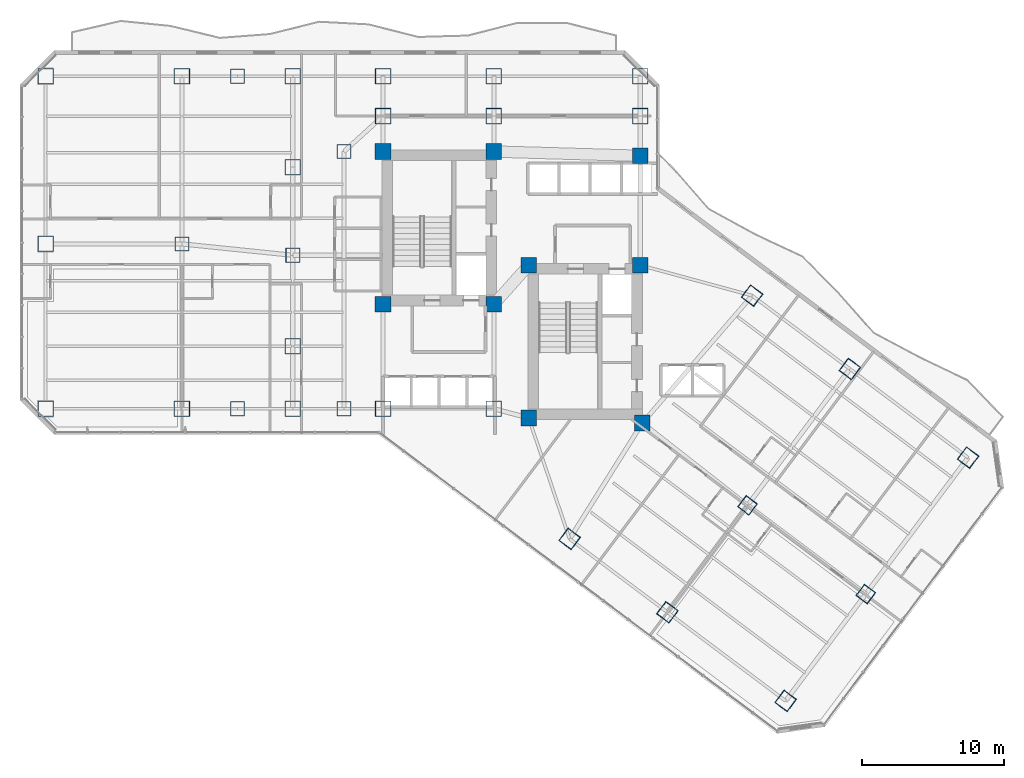
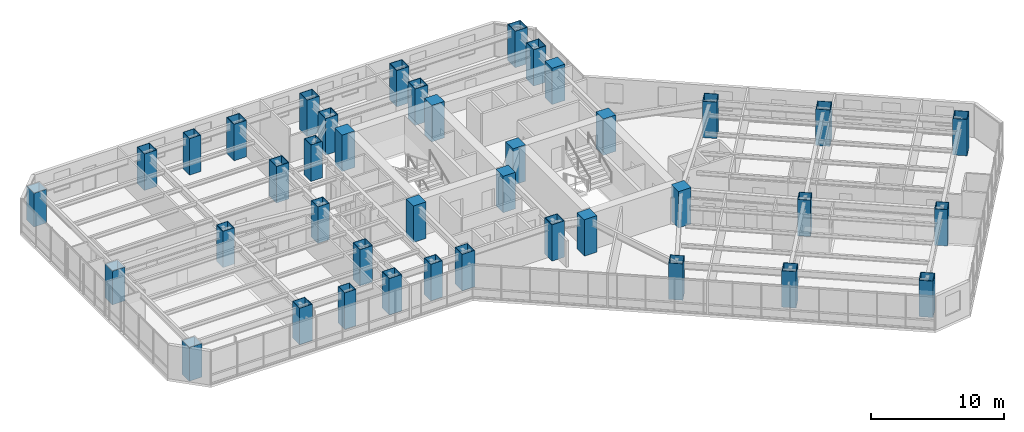
# One storey, part 1 of 39: 40 columns.
"""IFC4 building model written with IfcOpenShell, lengths in metres."""

from ifc_helpers import new_model, si_unit, direction, frame, origin, origin_2d, place, context, subcontext, project, spatial, rectangle, hollow_rectangle, extrude, material, material_profile, profile_set, type_object, element, save


model = new_model("IFC4")

# Units and contexts
model_context = context("Model", 3, precision=1e-05, world=origin(), true_north=direction((0.0, 1.0)))
body_context = subcontext(model_context, "Body", "Model", "MODEL_VIEW")
ifc_project = project(units=[si_unit("LENGTHUNIT", "METRE"), si_unit("AREAUNIT", "SQUARE_METRE"), si_unit("VOLUMEUNIT", "CUBIC_METRE"), si_unit("PLANEANGLEUNIT", "RADIAN"), si_unit("MASSUNIT", "GRAM", prefix="KILO")], contexts=[model_context])

# Site, building, storey
site_placement = place(None, origin())
site = spatial("IfcSite", under=ifc_project, at=site_placement, CompositionType="ELEMENT")
building_placement = place(site_placement, origin())
building = spatial("IfcBuilding", under=site, at=building_placement, Name="Hatsunagi Terrace Concourse", CompositionType="ELEMENT")
storey_placement = place(building_placement, frame((0.0, 0.0, 66.75)))
storey = spatial("IfcBuildingStorey", under=building, at=storey_placement, Name="L17", CompositionType="ELEMENT", Elevation=66.75)

# Columns
ifc_material_1 = material(Name="Concrete Fc60", Category="concrete")
ifc_material_profile_1 = material_profile(ifc_material_1, rectangle(XDim=1.10009765625, YDim=1.10009765625, at=origin_2d()), Name="RC-1100x1100")
ifc_profile_set_1 = profile_set([ifc_material_profile_1], Name="Concrete Fc60")
column_type_1 = type_object("IfcColumnType", Name="CoreColumn_RC_1100x1100", PredefinedType="COLUMN", material=ifc_profile_set_1)
for number, where, z_axis, x_axis, name in (
    (1, (25.550048828125, 32.550048828125, 0.0), (0.0, 0.0, 1.0), (1.0, 0.0, 0.0), "Column C-01 L17-CASW"),
    (2, (33.35009765625, 32.550048828125, 0.0), (0.0, 0.0, 1.0), (1.0, 0.0, 0.0), "Column C-01 L17-CASE"),
    (3, (25.550048828125, 43.300048828125, 0.0), (0.0, 0.0, 1.0), (1.0, 0.0, 0.0), "Column C-01 L17-CANW"),
    (4, (33.35009765625, 43.300048828125, 0.0), (0.0, 0.0, 1.0), (1.0, 0.0, 0.0), "Column C-01 L17-CANE"),
    (5, (35.800048828125, 24.550048828125, 0.0), (0.0, 0.0, 1.0), (1.0, 0.0, 0.0), "Column C-01 L17-CBSW"),
    (6, (43.800048828125, 24.199951171875, 0.0), (0.0, 0.0, 1.0), (1.0, 0.0, 0.0), "Column C-01 L17-CBSE"),
    (7, (35.800048828125, 35.300048828125, 0.0), (0.0, 0.0, 1.0), (1.0, 0.0, 0.0), "Column C-01 L17-CBNW"),
    (8, (43.64990234375, 35.300048828125, 0.0), (0.0, 0.0, 1.0), (1.0, 0.0, 0.0), "Column C-01 L17-CBNE"),
    (9, (43.64990234375, 43.0, 0.0), (0.0, 0.0, 1.0), (1.0, 0.0, 0.0), "Column C-01 L17-K3"),
):
    element("IfcColumn", number, at=place(storey_placement, frame(where, z_axis=z_axis, x_axis=x_axis)), inside=storey, type_object=column_type_1, Name=name, PredefinedType="COLUMN", context=body_context, shape_type="SweptSolid", body=[
        extrude(rectangle(XDim=1.10009765625, YDim=1.10009765625, at=origin_2d()), origin(), (0.0, 0.0, 1.0), 3.35009765625),
    ])
ifc_material_2 = material(Name="Steel BCP325T", Category="steel")
ifc_material_profile_2 = material_profile(ifc_material_2, hollow_rectangle(XDim=1.10009765625, YDim=1.10009765625, WallThickness=0.0400390625, at=origin_2d()), Name="BCP-1100x1100x40")
ifc_profile_set_2 = profile_set([ifc_material_profile_2], Name="Steel BCP325T")
column_type_2 = type_object("IfcColumnType", Name="MegaColumn_BCP_1100x1100x40", PredefinedType="COLUMN", material=ifc_profile_set_2)
for number, where, z_axis, x_axis, name in (
    (10, (25.550048828125, 25.199951171875, 0.0), (0.0, 0.0, 1.0), (1.0, 0.0, 0.0), "Mega column MC-02 L17-K1"),
    (11, (33.35009765625, 25.199951171875, 0.0), (0.0, 0.0, 1.0), (1.0, 0.0, 0.0), "Mega column MC-02 L17-K2"),
    (12, (25.550048828125, 45.800048828125, 0.0), (0.0, 0.0, 1.0), (1.0, 0.0, 0.0), "Mega column MC-02 L17-CN1"),
    (13, (33.35009765625, 45.800048828125, 0.0), (0.0, 0.0, 1.0), (1.0, 0.0, 0.0), "Mega column MC-02 L17-CN2"),
    (14, (43.64990234375, 45.800048828125, 0.0), (0.0, 0.0, 1.0), (1.0, 0.0, 0.0), "Mega column MC-02 L17-CN3"),
):
    element("IfcColumn", number, at=place(storey_placement, frame(where, z_axis=z_axis, x_axis=x_axis)), inside=storey, type_object=column_type_2, Name=name, PredefinedType="COLUMN", context=body_context, shape_type="SweptSolid", body=[
        extrude(hollow_rectangle(XDim=1.10009765625, YDim=1.10009765625, WallThickness=0.0400390625, at=origin_2d()), origin(), (0.0, 0.0, 1.0), 3.35009765625),
    ])
for number, where, z_axis, x_axis, name in (
    (15, (1.800048828125, 25.199951171875, 0.0), (0.0, 0.0, 1.0), (1.0, 0.0, 0.0), "Mega column MC-02 L17-WS1"),
    (16, (1.800048828125, 48.60009765625, 0.0), (0.0, 0.0, 1.0), (1.0, 0.0, 0.0), "Mega column MC-02 L17-WN1"),
    (17, (1.800048828125, 36.800048828125, 0.0), (0.0, 0.0, 1.0), (1.0, 0.0, 0.0), "Mega column MC-02 L17-WM0"),
):
    element("IfcColumn", number, at=place(storey_placement, frame(where, z_axis=z_axis, x_axis=x_axis)), inside=storey, type_object=column_type_2, Name=name, PredefinedType="COLUMN", context=body_context, shape_type="SweptSolid", body=[
        extrude(hollow_rectangle(XDim=1.10009765625, YDim=1.10009765625, WallThickness=0.0400390625, at=origin_2d()), origin(), (0.0, 0.0, 1.0), 3.097900390625),
    ])
for number, where, z_axis, x_axis, name in (
    (18, (11.39990234375, 25.199951171875, 0.0), (0.0, 0.0, 1.0), (1.0, 0.0, 0.0), "Mega column MC-02 L17-WS2"),
    (19, (11.39990234375, 48.60009765625, 0.0), (0.0, 0.0, 1.0), (1.0, 0.0, 0.0), "Mega column MC-02 L17-WN2"),
    (20, (19.199951171875, 48.60009765625, 0.0), (0.0, 0.0, 1.0), (1.0, 0.0, 0.0), "Mega column MC-02 L17-WN3"),
    (21, (25.550048828125, 48.60009765625, 0.0), (0.0, 0.0, 1.0), (1.0, 0.0, 0.0), "Mega column MC-02 L17-WN4"),
    (22, (33.35009765625, 48.60009765625, 0.0), (0.0, 0.0, 1.0), (1.0, 0.0, 0.0), "Mega column MC-02 L17-WN5"),
    (23, (43.64990234375, 48.60009765625, 0.0), (0.0, 0.0, 1.0), (1.0, 0.0, 0.0), "Mega column MC-02 L17-WN6"),
    (24, (19.199951171875, 25.199951171875, 0.0), (0.0, 0.0, 1.0), (1.0, 0.0, 0.0), "Mega column MC-02 L17-WS3"),
    (25, (19.199951171875, 29.60009765625, 0.0), (0.0, 0.0, 1.0), (1.0, 0.0, 0.0), "Mega column MC-02 L17-WR1"),
    (26, (19.199951171875, 42.199951171875, 0.0), (0.0, 0.0, 1.0), (1.0, 0.0, 0.0), "Mega column MC-02 L17-WR2"),
    (27, (38.679931640625, 16.0400390625, 0.0), (0.0, 0.0, 1.0), (0.799999996291, -0.600000004945, 0.0), "Mega column MC-02 L17-SES1"),
    (28, (51.52001953125, 33.159912109375, 0.0), (0.0, 0.0, 1.0), (0.799999996291, -0.600000004945, 0.0), "Mega column MC-02 L17-SEN1"),
    (29, (45.56005859375, 10.8798828125, 0.0), (0.0, 0.0, 1.0), (0.799999996291, -0.600000004945, 0.0), "Mega column MC-02 L17-SES2"),
    (30, (58.39990234375, 28.0, 0.0), (0.0, 0.0, 1.0), (0.799999996291, -0.600000004945, 0.0), "Mega column MC-02 L17-SEN2"),
    (31, (53.8798828125, 4.639892578125, 0.0), (0.0, 0.0, 1.0), (0.799999996291, -0.600000004945, 0.0), "Mega column MC-02 L17-SES3"),
    (32, (66.719970703125, 21.760009765625, 0.0), (0.0, 0.0, 1.0), (0.799999996291, -0.600000004945, 0.0), "Mega column MC-02 L17-SEN3"),
):
    element("IfcColumn", number, at=place(storey_placement, frame(where, z_axis=z_axis, x_axis=x_axis)), inside=storey, type_object=column_type_2, Name=name, PredefinedType="COLUMN", context=body_context, shape_type="SweptSolid", body=[
        extrude(hollow_rectangle(XDim=1.10009765625, YDim=1.10009765625, WallThickness=0.0400390625, at=origin_2d()), origin(), (0.0, 0.0, 1.0), 3.35009765625),
    ])
ifc_material_3 = material(Name="Steel BCP325T", Category="steel")
ifc_material_profile_3 = material_profile(ifc_material_3, hollow_rectangle(XDim=1.0, YDim=1.0, WallThickness=0.0380859375, at=origin_2d()), Name="BCP-1000x1000x38")
ifc_profile_set_3 = profile_set([ifc_material_profile_3], Name="Steel BCP325T")
column_type_3 = type_object("IfcColumnType", Name="TowerBoxColumn_1000x1000x38", PredefinedType="COLUMN", material=ifc_profile_set_3)
for number, where, z_axis, x_axis, name in (
    (33, (22.800048828125, 25.199951171875, 0.0), (0.0, 0.0, 1.0), (1.0, 0.0, 0.0), "Column C-03 L17-CW1"),
    (34, (22.800048828125, 43.300048828125, 0.0), (0.0, 0.0, 1.0), (1.0, 0.0, 0.0), "Column C-03 L17-CW2"),
    (35, (11.39990234375, 36.800048828125, 0.0), (0.0, 0.0, 1.0), (1.0, 0.0, 0.0), "Column C-03 L17-WT1"),
    (36, (19.199951171875, 36.0, 0.0), (0.0, 0.0, 1.0), (1.0, 0.0, 0.0), "Column C-03 L17-WT2"),
    (37, (15.300048828125, 25.199951171875, 0.0), (0.0, 0.0, 1.0), (1.0, 0.0, 0.0), "Column C-03 L17-WT3"),
    (38, (15.300048828125, 48.60009765625, 0.0), (0.0, 0.0, 1.0), (1.0, 0.0, 0.0), "Column C-03 L17-WT4"),
    (39, (51.199951171875, 18.39990234375, 0.0), (0.0, 0.0, 1.0), (0.799999996291, -0.600000004945, 0.0), "Column C-03 L17-SEM2"),
    (40, (59.52001953125, 12.159912109375, 0.0), (0.0, 0.0, 1.0), (0.799999996291, -0.600000004945, 0.0), "Column C-03 L17-SEM3"),
):
    element("IfcColumn", number, at=place(storey_placement, frame(where, z_axis=z_axis, x_axis=x_axis)), inside=storey, type_object=column_type_3, Name=name, PredefinedType="COLUMN", context=body_context, shape_type="SweptSolid", body=[
        extrude(hollow_rectangle(XDim=1.0, YDim=1.0, WallThickness=0.0380859375, at=origin_2d()), origin(), (0.0, 0.0, 1.0), 3.35009765625),
    ])

save(model, "model.ifc")
